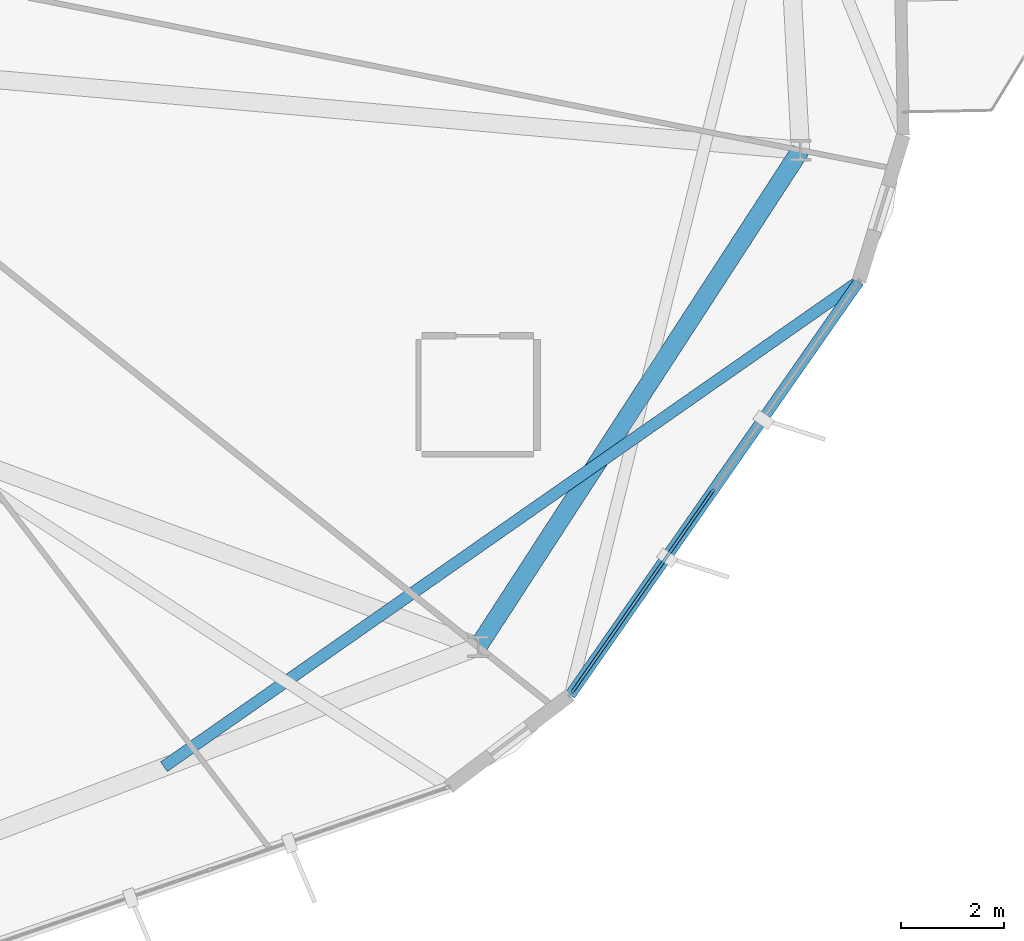
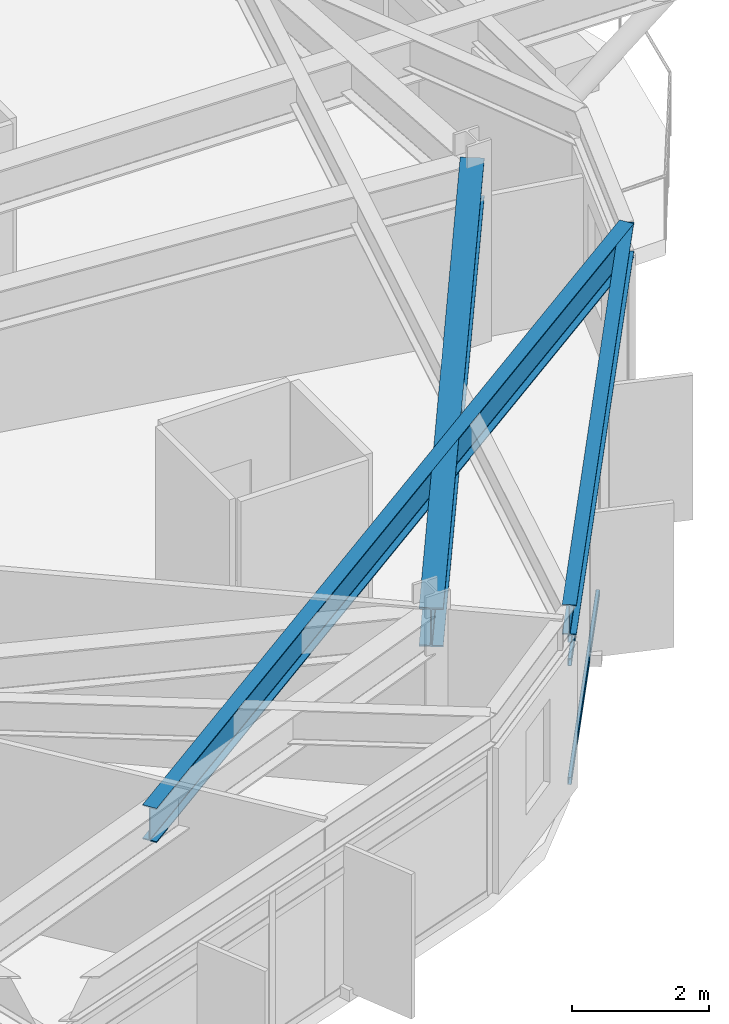
# One storey, part 15 of 34: 3 beams, 3 members, 1 element without a shape of its own.
"""IFC4 building model written with IfcOpenShell, lengths in metres."""

from ifc_helpers import new_model, si_unit, direction, frame, origin, origin_2d, place, context, subcontext, project, spatial, hollow_rectangle, i_section, extrude, material, layer, layer_set, material_profile, profile_set, type_object, element, aggregate, save


model = new_model("IFC4")

# Units and contexts
model_context = context("Model", 3, precision=1e-05, world=origin(), true_north=direction((0.0, 1.0)))
body_context = subcontext(model_context, "Body", "Model", "MODEL_VIEW")
ifc_project = project(units=[si_unit("LENGTHUNIT", "METRE"), si_unit("AREAUNIT", "SQUARE_METRE"), si_unit("VOLUMEUNIT", "CUBIC_METRE"), si_unit("PLANEANGLEUNIT", "RADIAN"), si_unit("MASSUNIT", "GRAM", prefix="KILO")], contexts=[model_context])

# Site, building, storey
site_placement = place(None, origin())
site = spatial("IfcSite", under=ifc_project, at=site_placement, CompositionType="ELEMENT")
building_placement = place(site_placement, origin())
building = spatial("IfcBuilding", under=site, at=building_placement, Name="Soratama Intermodal Tower", CompositionType="ELEMENT")
storey_placement = place(building_placement, frame((0.0, 0.0, 233.800048828125)))
storey = spatial("IfcBuildingStorey", under=building, at=storey_placement, Name="L59", CompositionType="ELEMENT", Elevation=233.800048828125)

# Beams
ifc_material_1 = material(Name="Structural steel ASTM A992 Grade 50", Category="steel")
ifc_material_profile_1 = material_profile(ifc_material_1, i_section(OverallWidth=0.35498046875, OverallDepth=0.695068359375, WebThickness=0.015380859375, FlangeThickness=0.02490234375, FilletRadius=0.01611328125, at=origin_2d()), Name="W27X146")
ifc_profile_set_1 = profile_set([ifc_material_profile_1], Name="Structural steel ASTM A992 Grade 50")
beam_type_1 = type_object("IfcBeamType", Name="BM-RING-W27X146", PredefinedType="BEAM", material=ifc_profile_set_1)
beam_1_placement = place(storey_placement, frame((56.705078125, 10.544921875, 2.87255859375), z_axis=(0.544637453764, 0.83867159482, 0.0), x_axis=(-0.83867159482, 0.544637453764, 0.0)))
element("IfcBeam", 1, at=beam_1_placement, inside=storey, type_object=beam_type_1, Name="BM-L59-RING-09", PredefinedType="BEAM", context=body_context, shape_type="SweptSolid", body=[
    extrude(i_section(OverallWidth=0.35498046875, OverallDepth=0.695068359375, WebThickness=0.015380859375, FlangeThickness=0.02490234375, FilletRadius=0.01611328125, at=origin_2d()), origin(), (0.0, 0.0, 1.0), 11.49560546875),
])
ifc_material_2 = material(Name="Structural steel ASTM A992 Grade 50", Category="steel")
ifc_material_profile_2 = material_profile(ifc_material_2, i_section(OverallWidth=0.2099609375, OverallDepth=0.537109375, WebThickness=0.010986328125, FlangeThickness=0.017333984375, FilletRadius=0.012939453125, at=origin_2d()), Name="W21X68")
ifc_profile_set_2 = profile_set([ifc_material_profile_2], Name="Structural steel ASTM A992 Grade 50")
beam_type_2 = type_object("IfcBeamType", Name="BM-SPN-W21X68", PredefinedType="SPANDREL", material=ifc_profile_set_2)
beam_2_placement = place(storey_placement, frame((58.493896484375, 9.60498046875, 2.951416015625), z_axis=(0.572460232571, 0.819932486321, 0.0), x_axis=(-0.819932486321, 0.572460232571, 0.0)))
element("IfcBeam", 2, at=beam_2_placement, inside=storey, type_object=beam_type_2, Name="BS-L59-F08", PredefinedType="SPANDREL", context=body_context, shape_type="SweptSolid", body=[
    extrude(i_section(OverallWidth=0.2099609375, OverallDepth=0.537109375, WebThickness=0.010986328125, FlangeThickness=0.017333984375, FilletRadius=0.012939453125, at=origin_2d()), origin(), (0.0, 0.0, 1.0), 9.79833984375),
])
ifc_material_3 = material(Name="Structural steel ASTM A992 Grade 50", Category="steel")
ifc_material_profile_3 = material_profile(ifc_material_3, i_section(OverallWidth=0.22900390625, OverallDepth=0.612060546875, WebThickness=0.011962890625, FlangeThickness=0.01953125, FilletRadius=0.012939453125, at=origin_2d()), Name="W24X84")
ifc_profile_set_3 = profile_set([ifc_material_profile_3], Name="Structural steel ASTM A992 Grade 50")
beam_type_3 = type_object("IfcBeamType", Name="BM-TIE-W24X84", PredefinedType="BEAM", material=ifc_profile_set_3)
beam_3_placement = place(storey_placement, frame((50.60498046875, 8.214111328125, 2.9140625), z_axis=(0.819911326879, 0.572490537962, 0.0), x_axis=(-0.572490537962, 0.819911326879, 0.0)))
element("IfcBeam", 3, at=beam_3_placement, inside=storey, type_object=beam_type_3, Name="BM-L59-TIE1-08", PredefinedType="BEAM", context=body_context, shape_type="SweptSolid", body=[
    extrude(i_section(OverallWidth=0.22900390625, OverallDepth=0.612060546875, WebThickness=0.011962890625, FlangeThickness=0.01953125, FilletRadius=0.012939453125, at=origin_2d()), origin(), (0.0, 0.0, 1.0), 16.462890625),
])

# Curtain wall, members
ifc_material_4 = material(Name="Double-glazed aluminium curtain wall", Category="aluminium")
ifc_layer = layer(ifc_material_4, 0.159912109375)
ifc_layer_set = layer_set([ifc_layer], Name="Double-glazed aluminium curtain wall")
curtain_wall_type = type_object("IfcCurtainWallType", Name="CW-SYS-5", PredefinedType="NOTDEFINED", material=ifc_layer_set)
curtain_wall_placement = place(storey_placement, origin())
curtain_wall = element("IfcCurtainWall", 4, at=curtain_wall_placement, inside=storey, type_object=curtain_wall_type, Name="L59 Faceted Curtain Wall F08", PredefinedType="NOTDEFINED")
ifc_material_5 = material(Name="Anodised aluminium AA 6063-T6", Category="aluminium")
ifc_material_profile_4 = material_profile(ifc_material_5, hollow_rectangle(XDim=0.06005859375, YDim=0.1298828125, WallThickness=0.0048828125, InnerFilletRadius=0.0048828125, OuterFilletRadius=0.010009765625, at=origin_2d()), Name="CWT130X60X5")
ifc_profile_set_4 = profile_set([ifc_material_profile_4], Name="Anodised aluminium AA 6063-T6")
member_type = type_object("IfcMemberType", Name="TT-CWT-2", PredefinedType="USERDEFINED", material=ifc_profile_set_4)
member_1_placement = place(storey_placement, frame((58.5283203125, 9.654052734375, 0.030029296875), z_axis=(0.572415839523, 0.819963478859, 0.0), x_axis=(-0.819963478859, 0.572415839523, 0.0)))
member_1 = element("IfcMember", 5, at=member_1_placement, type_object=member_type, Name="CW-5 transom 1.1", ObjectType="TRANSOM", PredefinedType="USERDEFINED", context=body_context, shape_type="SweptSolid", body=[
    extrude(hollow_rectangle(XDim=0.06005859375, YDim=0.1298828125, WallThickness=0.0048828125, InnerFilletRadius=0.0048828125, OuterFilletRadius=0.010009765625, at=origin_2d()), origin(), (0.0, 0.0, 1.0), 4.808837890625),
])
member_2_placement = place(storey_placement, frame((58.5283203125, 9.654052734375, 2.14990234375), z_axis=(0.572415839523, 0.819963478859, 0.0), x_axis=(-0.819963478859, 0.572415839523, 0.0)))
member_2 = element("IfcMember", 6, at=member_2_placement, type_object=member_type, Name="CW-5 transom 1.2", ObjectType="TRANSOM", PredefinedType="USERDEFINED", context=body_context, shape_type="SweptSolid", body=[
    extrude(hollow_rectangle(XDim=0.06005859375, YDim=0.1298828125, WallThickness=0.0048828125, InnerFilletRadius=0.0048828125, OuterFilletRadius=0.010009765625, at=origin_2d()), origin(), (0.0, 0.0, 1.0), 4.808837890625),
])
member_3_placement = place(storey_placement, frame((58.5283203125, 9.654052734375, 2.56884765625), z_axis=(0.572415839523, 0.819963478859, 0.0), x_axis=(-0.819963478859, 0.572415839523, 0.0)))
member_3 = element("IfcMember", 7, at=member_3_placement, type_object=member_type, Name="CW-5 transom 1.3", ObjectType="TRANSOM", PredefinedType="USERDEFINED", context=body_context, shape_type="SweptSolid", body=[
    extrude(hollow_rectangle(XDim=0.06005859375, YDim=0.1298828125, WallThickness=0.0048828125, InnerFilletRadius=0.0048828125, OuterFilletRadius=0.010009765625, at=origin_2d()), origin(), (0.0, 0.0, 1.0), 4.808837890625),
])
aggregate(curtain_wall, [member_1, member_2, member_3])

save(model, "model.ifc")
